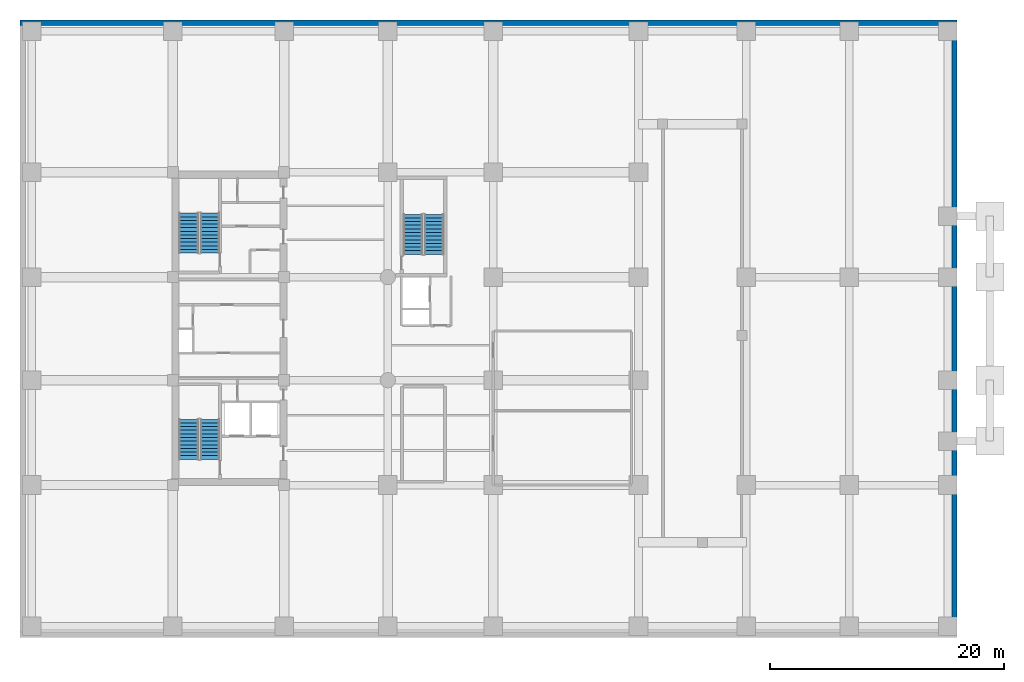
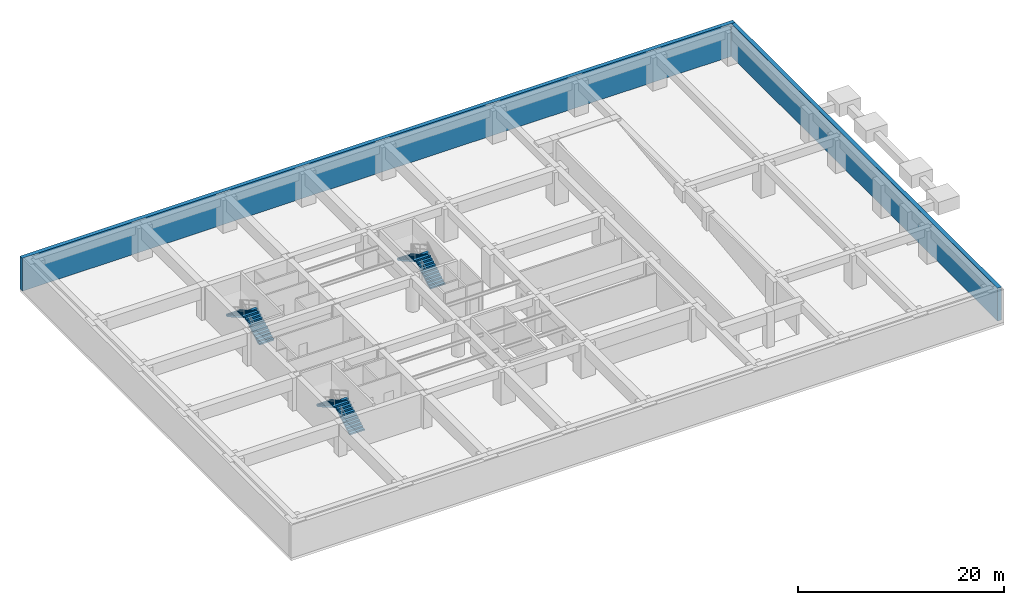
# One storey, part 6 of 7: 6 stair flights, 2 walls, 3 elements without a shape of their own.
"""IFC4 building model written with IfcOpenShell, lengths in metres."""

from ifc_helpers import new_model, si_unit, direction, frame, frame_2d, origin, place, context, subcontext, project, spatial, polyline, rectangle, outline, extrude, material, layer, layer_set, type_object, element, aggregate, save


model = new_model("IFC4")

# Units and contexts
model_context = context("Model", 3, precision=1e-05, world=origin(), true_north=direction((0.0, 1.0)))
body_context = subcontext(model_context, "Body", "Model", "MODEL_VIEW")
ifc_project = project(units=[si_unit("LENGTHUNIT", "METRE"), si_unit("AREAUNIT", "SQUARE_METRE"), si_unit("VOLUMEUNIT", "CUBIC_METRE"), si_unit("PLANEANGLEUNIT", "RADIAN"), si_unit("MASSUNIT", "GRAM", prefix="KILO")], contexts=[model_context])

# Site, building, storey
site_placement = place(None, origin())
site = spatial("IfcSite", under=ifc_project, at=site_placement, CompositionType="ELEMENT")
building_placement = place(site_placement, origin())
building = spatial("IfcBuilding", under=site, at=building_placement, Name="Kundavana Baori Tower", CompositionType="ELEMENT")
storey_placement = place(building_placement, frame((0.0, 0.0, -4.199951171875)))
storey = spatial("IfcBuildingStorey", under=building, at=storey_placement, Name="B01", CompositionType="ELEMENT", Elevation=-4.199951171875)

# Walls
ifc_material_1 = material(Name="Concrete C40/50", Category="concrete")
ifc_layer = layer(ifc_material_1, 0.449951171875, Name="WL-RET-450")
ifc_layer_set = layer_set([ifc_layer], Name="Concrete C40/50")
wall_type = type_object("IfcWallType", Name="WL-RET-450", PredefinedType="SHEAR", material=ifc_layer_set)
wall_1_placement = place(storey_placement, frame((2.39990234375, 54.72509765625, 0.0), z_axis=(0.0, 0.0, 1.0), x_axis=(1.0, 0.0, 0.0)))
element("IfcWall", 1, at=wall_1_placement, inside=storey, type_object=wall_type, Name="B01 North Perimeter Retaining Wall", PredefinedType="SHEAR", context=body_context, shape_type="SweptSolid", body=[
    extrude(rectangle(XDim=80.0, YDim=0.449951171875, at=frame_2d((40.0, 0.0))), origin(), (0.0, 0.0, 1.0), 3.89990234375),
])
wall_2_placement = place(storey_placement, frame((82.175048828125, 2.699951171875, 0.0), z_axis=(0.0, 0.0, 1.0), x_axis=(0.0, 1.0, 0.0)))
element("IfcWall", 2, at=wall_2_placement, inside=storey, type_object=wall_type, Name="B01 East Perimeter Retaining Wall", PredefinedType="SHEAR", context=body_context, shape_type="SweptSolid", body=[
    extrude(rectangle(XDim=51.800048828125, YDim=0.449951171875, at=frame_2d((25.89990234375, 0.0))), origin(), (0.0, 0.0, 1.0), 3.89990234375),
])

# Stair, stair flights
ifc_material_2 = material(Name="Concrete C40/50", Category="concrete")
stair_type = type_object("IfcStairType", Name="STR-DOG-1650", PredefinedType="HALF_TURN_STAIR", material=ifc_material_2)
stair_1_placement = place(storey_placement, origin())
stair_1 = element("IfcStair", 3, at=stair_1_placement, inside=storey, type_object=stair_type, Name="B01 Protected Exit Stair ST1", PredefinedType="HALF_TURN_STAIR")
ifc_material_3 = material(Name="Concrete C40/50", Category="concrete")
stair_flight_type = type_object("IfcStairFlightType", Name="SFL-RC-1650", PredefinedType="STRAIGHT", material=ifc_material_3)
stair_flight_1_placement = place(storey_placement, frame((18.614990234375, 17.449951171875, 0.0), z_axis=(0.0, 0.0, 1.0), x_axis=(0.0, 1.0, 0.0)))
stair_flight_1 = element("IfcStairFlight", 4, at=stair_flight_1_placement, type_object=stair_flight_type, Name="ST1 flight 1", NumberOfRisers=12, NumberOfTreads=11, PredefinedType="STRAIGHT", RiserHeight=0.175, TreadLength=0.31, context=body_context, shape_type="SweptSolid", body=[
    extrude(outline(polyline([(0.0, 0.0), (0.0, 0.175048828125), (0.31005859375, 0.175048828125), (0.31005859375, 0.35009765625), (0.6201171875, 0.35009765625), (0.6201171875, 0.52490234375), (0.929931640625, 0.52490234375), (0.929931640625, 0.699951171875), (1.239990234375, 0.699951171875), (1.239990234375, 0.875), (1.550048828125, 0.875), (1.550048828125, 1.050048828125), (1.860107421875, 1.050048828125), (1.860107421875, 1.22509765625), (2.169921875, 1.22509765625), (2.169921875, 1.39990234375), (2.47998046875, 1.39990234375), (2.47998046875, 1.574951171875), (2.7900390625, 1.574951171875), (2.7900390625, 1.75), (3.10009765625, 1.75), (3.10009765625, 1.925048828125), (3.409912109375, 1.925048828125), (3.409912109375, 2.10009765625), (3.409912109375, 1.7529296875), (0.304931640625, 0.0), (0.0, 0.0)])), frame((0.0, 0.824951171875, 0.0), z_axis=(0.0, -1.0, 0.0), x_axis=(1.0, 0.0, 0.0)), (0.0, 0.0, 1.0), 1.64990234375),
])
stair_flight_2_placement = place(storey_placement, frame((16.804931640625, 20.860107421875, 2.099853515625), z_axis=(0.0, 0.0, 1.0), x_axis=(0.0, -1.0, 0.0)))
stair_flight_2 = element("IfcStairFlight", 5, at=stair_flight_2_placement, type_object=stair_flight_type, Name="ST1 flight 2", NumberOfRisers=12, NumberOfTreads=11, PredefinedType="STRAIGHT", RiserHeight=0.175, TreadLength=0.31, context=body_context, shape_type="SweptSolid", body=[
    extrude(outline(polyline([(0.0, 0.0), (0.0, 0.175048828125), (0.31005859375, 0.175048828125), (0.31005859375, 0.35009765625), (0.6201171875, 0.35009765625), (0.6201171875, 0.52490234375), (0.929931640625, 0.52490234375), (0.929931640625, 0.699951171875), (1.239990234375, 0.699951171875), (1.239990234375, 0.875), (1.550048828125, 0.875), (1.550048828125, 1.050048828125), (1.860107421875, 1.050048828125), (1.860107421875, 1.22509765625), (2.169921875, 1.22509765625), (2.169921875, 1.39990234375), (2.47998046875, 1.39990234375), (2.47998046875, 1.574951171875), (2.7900390625, 1.574951171875), (2.7900390625, 1.75), (3.10009765625, 1.75), (3.10009765625, 1.925048828125), (3.409912109375, 1.925048828125), (3.409912109375, 2.10009765625), (3.409912109375, 1.7529296875), (0.304931640625, 0.0), (0.0, 0.0)])), frame((0.0, 0.824951171875, 0.0), z_axis=(0.0, -1.0, 0.0), x_axis=(1.0, 0.0, 0.0)), (0.0, 0.0, 1.0), 1.64990234375),
])
aggregate(stair_1, [stair_flight_1, stair_flight_2])

stair_2_placement = place(storey_placement, origin())
stair_2 = element("IfcStair", 6, at=stair_2_placement, inside=storey, type_object=stair_type, Name="B01 Protected Exit Stair ST2", PredefinedType="HALF_TURN_STAIR")
stair_flight_3_placement = place(storey_placement, frame((18.614990234375, 35.050048828125, 0.0), z_axis=(0.0, 0.0, 1.0), x_axis=(0.0, 1.0, 0.0)))
stair_flight_3 = element("IfcStairFlight", 7, at=stair_flight_3_placement, type_object=stair_flight_type, Name="ST2 flight 1", NumberOfRisers=12, NumberOfTreads=11, PredefinedType="STRAIGHT", RiserHeight=0.175, TreadLength=0.31, context=body_context, shape_type="SweptSolid", body=[
    extrude(outline(polyline([(0.0, 0.0), (0.0, 0.175048828125), (0.31005859375, 0.175048828125), (0.31005859375, 0.35009765625), (0.6201171875, 0.35009765625), (0.6201171875, 0.52490234375), (0.929931640625, 0.52490234375), (0.929931640625, 0.699951171875), (1.239990234375, 0.699951171875), (1.239990234375, 0.875), (1.550048828125, 0.875), (1.550048828125, 1.050048828125), (1.860107421875, 1.050048828125), (1.860107421875, 1.22509765625), (2.169921875, 1.22509765625), (2.169921875, 1.39990234375), (2.47998046875, 1.39990234375), (2.47998046875, 1.574951171875), (2.7900390625, 1.574951171875), (2.7900390625, 1.75), (3.10009765625, 1.75), (3.10009765625, 1.925048828125), (3.409912109375, 1.925048828125), (3.409912109375, 2.10009765625), (3.409912109375, 1.7529296875), (0.304931640625, 0.0), (0.0, 0.0)])), frame((0.0, 0.824951171875, 0.0), z_axis=(0.0, -1.0, 0.0), x_axis=(1.0, 0.0, 0.0)), (0.0, 0.0, 1.0), 1.64990234375),
])
stair_flight_4_placement = place(storey_placement, frame((16.804931640625, 38.4599609375, 2.099853515625), z_axis=(0.0, 0.0, 1.0), x_axis=(0.0, -1.0, 0.0)))
stair_flight_4 = element("IfcStairFlight", 8, at=stair_flight_4_placement, type_object=stair_flight_type, Name="ST2 flight 2", NumberOfRisers=12, NumberOfTreads=11, PredefinedType="STRAIGHT", RiserHeight=0.175, TreadLength=0.31, context=body_context, shape_type="SweptSolid", body=[
    extrude(outline(polyline([(0.0, 0.0), (0.0, 0.175048828125), (0.31005859375, 0.175048828125), (0.31005859375, 0.35009765625), (0.6201171875, 0.35009765625), (0.6201171875, 0.52490234375), (0.929931640625, 0.52490234375), (0.929931640625, 0.699951171875), (1.239990234375, 0.699951171875), (1.239990234375, 0.875), (1.550048828125, 0.875), (1.550048828125, 1.050048828125), (1.860107421875, 1.050048828125), (1.860107421875, 1.22509765625), (2.169921875, 1.22509765625), (2.169921875, 1.39990234375), (2.47998046875, 1.39990234375), (2.47998046875, 1.574951171875), (2.7900390625, 1.574951171875), (2.7900390625, 1.75), (3.10009765625, 1.75), (3.10009765625, 1.925048828125), (3.409912109375, 1.925048828125), (3.409912109375, 2.10009765625), (3.409912109375, 1.7529296875), (0.304931640625, 0.0), (0.0, 0.0)])), frame((0.0, 0.824951171875, 0.0), z_axis=(0.0, -1.0, 0.0), x_axis=(1.0, 0.0, 0.0)), (0.0, 0.0, 1.0), 1.64990234375),
])
aggregate(stair_2, [stair_flight_3, stair_flight_4])

stair_3_placement = place(storey_placement, origin())
stair_3 = element("IfcStair", 9, at=stair_3_placement, inside=storey, type_object=stair_type, Name="B01 Protected Exit Stair ST3", PredefinedType="HALF_TURN_STAIR")
stair_flight_5_placement = place(storey_placement, frame((37.7548828125, 34.949951171875, 0.0), z_axis=(0.0, 0.0, 1.0), x_axis=(0.0, 1.0, 0.0)))
stair_flight_5 = element("IfcStairFlight", 10, at=stair_flight_5_placement, type_object=stair_flight_type, Name="ST3 flight 1", NumberOfRisers=12, NumberOfTreads=11, PredefinedType="STRAIGHT", RiserHeight=0.175, TreadLength=0.31, context=body_context, shape_type="SweptSolid", body=[
    extrude(outline(polyline([(0.0, 0.0), (0.0, 0.175048828125), (0.31005859375, 0.175048828125), (0.31005859375, 0.35009765625), (0.6201171875, 0.35009765625), (0.6201171875, 0.52490234375), (0.929931640625, 0.52490234375), (0.929931640625, 0.699951171875), (1.239990234375, 0.699951171875), (1.239990234375, 0.875), (1.550048828125, 0.875), (1.550048828125, 1.050048828125), (1.860107421875, 1.050048828125), (1.860107421875, 1.22509765625), (2.169921875, 1.22509765625), (2.169921875, 1.39990234375), (2.47998046875, 1.39990234375), (2.47998046875, 1.574951171875), (2.7900390625, 1.574951171875), (2.7900390625, 1.75), (3.10009765625, 1.75), (3.10009765625, 1.925048828125), (3.409912109375, 1.925048828125), (3.409912109375, 2.10009765625), (3.409912109375, 1.7529296875), (0.304931640625, 0.0), (0.0, 0.0)])), frame((0.0, 0.824951171875, 0.0), z_axis=(0.0, -1.0, 0.0), x_axis=(1.0, 0.0, 0.0)), (0.0, 0.0, 1.0), 1.64990234375),
])
stair_flight_6_placement = place(storey_placement, frame((35.945068359375, 38.360107421875, 2.099853515625), z_axis=(0.0, 0.0, 1.0), x_axis=(0.0, -1.0, 0.0)))
stair_flight_6 = element("IfcStairFlight", 11, at=stair_flight_6_placement, type_object=stair_flight_type, Name="ST3 flight 2", NumberOfRisers=12, NumberOfTreads=11, PredefinedType="STRAIGHT", RiserHeight=0.175, TreadLength=0.31, context=body_context, shape_type="SweptSolid", body=[
    extrude(outline(polyline([(0.0, 0.0), (0.0, 0.175048828125), (0.31005859375, 0.175048828125), (0.31005859375, 0.35009765625), (0.6201171875, 0.35009765625), (0.6201171875, 0.52490234375), (0.929931640625, 0.52490234375), (0.929931640625, 0.699951171875), (1.239990234375, 0.699951171875), (1.239990234375, 0.875), (1.550048828125, 0.875), (1.550048828125, 1.050048828125), (1.860107421875, 1.050048828125), (1.860107421875, 1.22509765625), (2.169921875, 1.22509765625), (2.169921875, 1.39990234375), (2.47998046875, 1.39990234375), (2.47998046875, 1.574951171875), (2.7900390625, 1.574951171875), (2.7900390625, 1.75), (3.10009765625, 1.75), (3.10009765625, 1.925048828125), (3.409912109375, 1.925048828125), (3.409912109375, 2.10009765625), (3.409912109375, 1.7529296875), (0.304931640625, 0.0), (0.0, 0.0)])), frame((0.0, 0.824951171875, 0.0), z_axis=(0.0, -1.0, 0.0), x_axis=(1.0, 0.0, 0.0)), (0.0, 0.0, 1.0), 1.64990234375),
])
aggregate(stair_3, [stair_flight_5, stair_flight_6])

save(model, "model.ifc")
